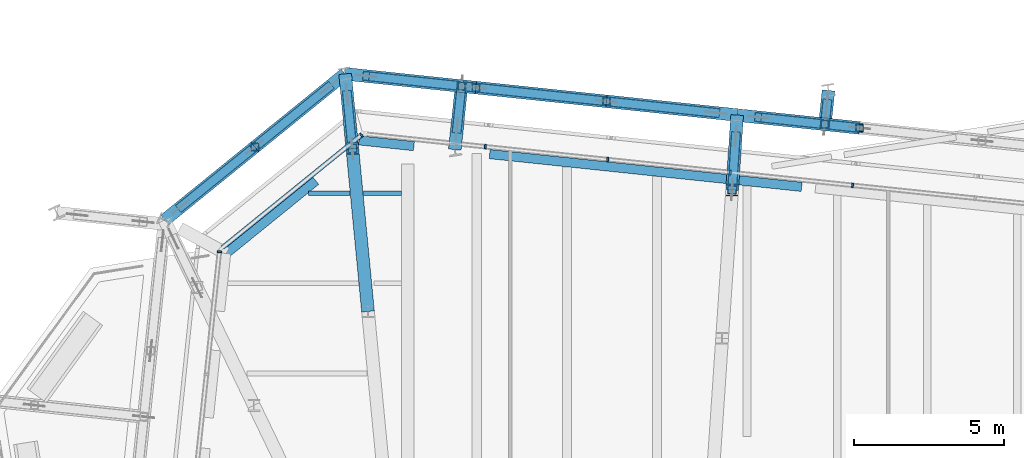
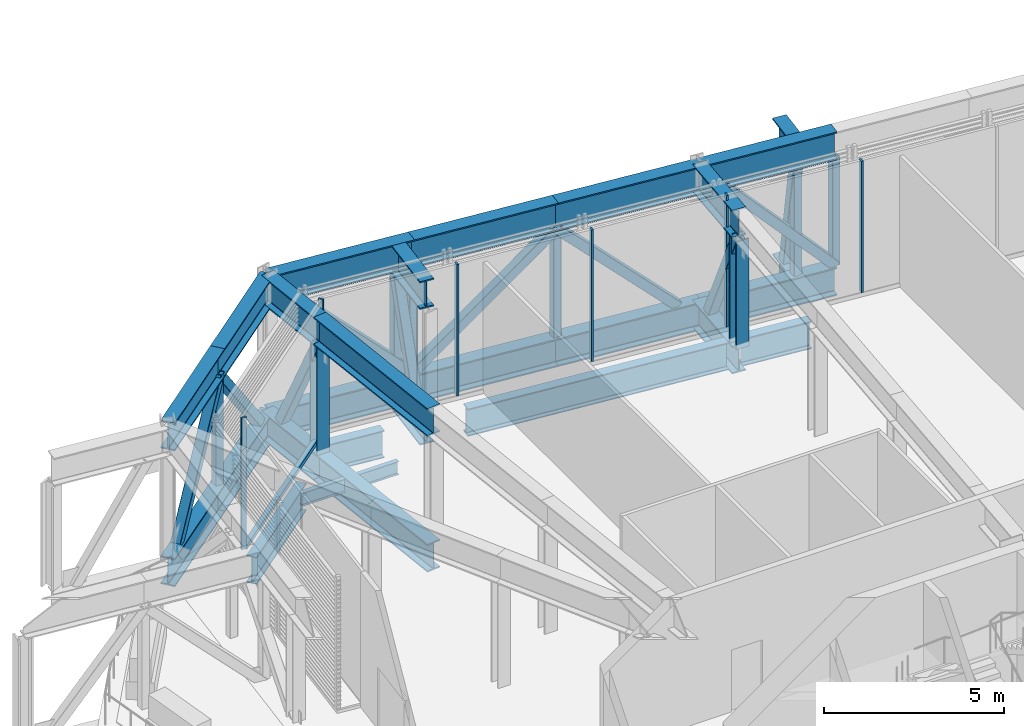
# One storey, part 15 of 36: 28 beams, 25 members, 3 elements without a shape of their own.
"""IFC4 building model written with IfcOpenShell, lengths in metres."""

from ifc_helpers import new_model, si_unit, direction, frame, origin, origin_2d, place, context, subcontext, project, spatial, rectangle, hollow_rectangle, i_section, extrude, material, layer, layer_set, material_profile, profile_set, type_object, element, aggregate, save


model = new_model("IFC4")

# Units and contexts
model_context = context("Model", 3, precision=1e-05, world=origin(), true_north=direction((0.0, 1.0)))
body_context = subcontext(model_context, "Body", "Model", "MODEL_VIEW")
ifc_project = project(units=[si_unit("LENGTHUNIT", "METRE"), si_unit("AREAUNIT", "SQUARE_METRE"), si_unit("VOLUMEUNIT", "CUBIC_METRE"), si_unit("PLANEANGLEUNIT", "RADIAN"), si_unit("MASSUNIT", "GRAM", prefix="KILO")], contexts=[model_context])

# Site, building, storey
site_placement = place(None, origin())
site = spatial("IfcSite", under=ifc_project, at=site_placement, CompositionType="ELEMENT")
building_placement = place(site_placement, origin())
building = spatial("IfcBuilding", under=site, at=building_placement, Name="Millrace Tower", CompositionType="ELEMENT")
storey_placement = place(building_placement, frame((0.0, 0.0, 271.39990234375)))
storey = spatial("IfcBuildingStorey", under=building, at=storey_placement, Name="L62", CompositionType="ELEMENT", Elevation=271.39990234375)

# Curtain wall, members
ifc_material_1 = material(Name="Aluminium and glass", Category="aluminium")
ifc_layer = layer(ifc_material_1, 0.14990234375)
ifc_layer_set = layer_set([ifc_layer], Name="Aluminium and glass")
curtain_wall_type = type_object("IfcCurtainWallType", Name="CW-5 truss and plant storey louvred infill", PredefinedType="NOTDEFINED", material=ifc_layer_set)
placement = place(storey_placement, origin())
curtain_wall_1 = element("IfcCurtainWall", 1, at=placement, inside=storey, type_object=curtain_wall_type, Name="Curtain wall E-F06 L62", PredefinedType="NOTDEFINED")
ifc_material_2 = material(Name="Aluminium", Category="aluminium")
ifc_material_profile_1 = material_profile(ifc_material_2, rectangle(XDim=0.06494140625, YDim=0.14990234375, at=origin_2d()))
ifc_profile_set_1 = profile_set([ifc_material_profile_1], Name="Aluminium")
member_type_1 = type_object("IfcMemberType", Name="CW-5 truss and plant storey louvred infill mullion", PredefinedType="MULLION", material=ifc_profile_set_1)
member_1_placement = place(storey_placement, frame((0.514892578125, 27.267578125, 0.14013671875), z_axis=(0.0, 0.0, 1.0), x_axis=(-0.994521896217, 0.104528455196, 0.0)))
member_1 = element("IfcMember", 2, at=member_1_placement, type_object=member_type_1, Name="CW5 mullion E-F06.6", PredefinedType="MULLION", context=body_context, shape_type="SweptSolid", body=[
    extrude(rectangle(XDim=0.06494140625, YDim=0.14990234375, at=origin_2d()), origin(), (0.0, 0.0, 1.0), 4.4599609375),
])
member_2_placement = place(storey_placement, frame((-3.562744140625, 27.6962890625, 0.14013671875), z_axis=(0.0, 0.0, 1.0), x_axis=(-0.994521896217, 0.104528455196, 0.0)))
member_2 = element("IfcMember", 3, at=member_2_placement, type_object=member_type_1, Name="CW5 mullion E-F06.7", PredefinedType="MULLION", context=body_context, shape_type="SweptSolid", body=[
    extrude(rectangle(XDim=0.06494140625, YDim=0.14990234375, at=origin_2d()), origin(), (0.0, 0.0, 1.0), 4.4599609375),
])
member_3_placement = place(storey_placement, frame((-7.640380859375, 28.124755859375, 0.14013671875), z_axis=(0.0, 0.0, 1.0), x_axis=(-0.994521896217, 0.104528455196, 0.0)))
member_3 = element("IfcMember", 4, at=member_3_placement, type_object=member_type_1, Name="CW5 mullion E-F06.8", PredefinedType="MULLION", context=body_context, shape_type="SweptSolid", body=[
    extrude(rectangle(XDim=0.06494140625, YDim=0.14990234375, at=origin_2d()), origin(), (0.0, 0.0, 1.0), 4.4599609375),
])
member_4_placement = place(storey_placement, frame((-11.7177734375, 28.55322265625, 0.14013671875), z_axis=(0.0, 0.0, 1.0), x_axis=(-0.994521896217, 0.104528455196, 0.0)))
member_4 = element("IfcMember", 5, at=member_4_placement, type_object=member_type_1, Name="CW5 mullion E-F06.9", PredefinedType="MULLION", context=body_context, shape_type="SweptSolid", body=[
    extrude(rectangle(XDim=0.06494140625, YDim=0.14990234375, at=origin_2d()), origin(), (0.0, 0.0, 1.0), 4.4599609375),
])
aggregate(curtain_wall_1, [member_1, member_2, member_3, member_4])

# Curtain wall, member
curtain_wall_2 = element("IfcCurtainWall", 6, at=placement, inside=storey, type_object=curtain_wall_type, Name="Curtain wall E-F07 L62", PredefinedType="NOTDEFINED")
member_5_placement = place(storey_placement, frame((-15.84326171875, 28.941650390625, 0.14013671875), z_axis=(0.0, 0.0, 1.0), x_axis=(-0.777146052237, -0.629320278945, 0.0)))
member_5 = element("IfcMember", 7, at=member_5_placement, type_object=member_type_1, Name="CW5 mullion E-F07.1", PredefinedType="MULLION", context=body_context, shape_type="SweptSolid", body=[
    extrude(rectangle(XDim=0.06494140625, YDim=0.14990234375, at=origin_2d()), origin(), (0.0, 0.0, 1.0), 4.4599609375),
])

curtain_wall_3 = element("IfcCurtainWall", 8, at=placement, inside=storey, type_object=curtain_wall_type, Name="Curtain wall E-F08 L62", PredefinedType="NOTDEFINED")
member_6_placement = place(storey_placement, frame((-20.57470703125, 25.052490234375, 0.14013671875), z_axis=(0.0, 0.0, 1.0), x_axis=(-0.104528455196, -0.994521896217, 0.0)))
member_6 = element("IfcMember", 9, at=member_6_placement, type_object=member_type_1, Name="CW5 mullion E-F08.1", PredefinedType="MULLION", context=body_context, shape_type="SweptSolid", body=[
    extrude(rectangle(XDim=0.06494140625, YDim=0.14990234375, at=origin_2d()), origin(), (0.0, 0.0, 1.0), 4.4599609375),
])
aggregate(curtain_wall_3, [member_6])

# Member
ifc_material_3 = material(Name="Aluminium", Category="aluminium")
ifc_material_profile_2 = material_profile(ifc_material_3, rectangle(XDim=0.14990234375, YDim=0.139892578125, at=origin_2d()))
ifc_profile_set_2 = profile_set([ifc_material_profile_2], Name="Aluminium")
member_type_2 = type_object("IfcMemberType", Name="CW-5 truss and plant storey louvred infill transom", PredefinedType="USERDEFINED", material=ifc_profile_set_2)
member_7_placement = place(storey_placement, frame((-15.895751953125, 28.899169921875, 0.070068359375), z_axis=(-0.777165591695, -0.629296148951, 0.0), x_axis=(0.629296148951, -0.777165591695, 0.0)))
member_7 = element("IfcMember", 10, at=member_7_placement, type_object=member_type_2, Name="CW5 transom E-F07.1", ObjectType="TRANSOM", PredefinedType="USERDEFINED", context=body_context, shape_type="SweptSolid", body=[
    extrude(rectangle(XDim=0.14990234375, YDim=0.139892578125, at=origin_2d()), origin(), (0.0, 0.0, 1.0), 5.881103515625),
])

aggregate(curtain_wall_2, [member_5, member_7])

# Beams
ifc_material_4 = material(Name="Steel ASTM A992 Grade 50", Category="steel")
ifc_material_profile_3 = material_profile(ifc_material_4, i_section(OverallWidth=0.15234375, OverallDepth=0.449462890625, WebThickness=0.007568359375, FlangeThickness=0.0107421875, FilletRadius=0.01025390625, at=origin_2d()))
ifc_profile_set_3 = profile_set([ifc_material_profile_3], Name="Steel ASTM A992 Grade 50")
beam_type_1 = type_object("IfcBeamType", Name="Floor beam W18x35", PredefinedType="JOIST", material=ifc_profile_set_3)
beam_1_placement = place(storey_placement, frame((-15.78125, 27.0, -0.384765625), z_axis=(1.0, 0.0, 0.0), x_axis=(0.0, 1.0, 0.0)))
element("IfcBeam", 11, at=beam_1_placement, inside=storey, type_object=beam_type_1, Name="BM-E-L62-S1-S035-b", PredefinedType="JOIST", context=body_context, shape_type="SweptSolid", body=[
    extrude(i_section(OverallWidth=0.15234375, OverallDepth=0.449462890625, WebThickness=0.007568359375, FlangeThickness=0.0107421875, FilletRadius=0.01025390625, at=origin_2d()), origin(), (0.0, 0.0, 1.0), 1.271728515625),
])
beam_2_placement = place(storey_placement, frame((-17.609619140625, 27.0, -0.384765625), z_axis=(1.0, 0.0, 0.0), x_axis=(0.0, 1.0, 0.0)))
element("IfcBeam", 12, at=beam_2_placement, inside=storey, type_object=beam_type_1, Name="BM-E-L62-S1-S035-a", PredefinedType="JOIST", context=body_context, shape_type="SweptSolid", body=[
    extrude(i_section(OverallWidth=0.15234375, OverallDepth=0.449462890625, WebThickness=0.007568359375, FlangeThickness=0.0107421875, FilletRadius=0.01025390625, at=origin_2d()), origin(), (0.0, 0.0, 1.0), 1.385009765625),
])
ifc_material_5 = material(Name="Steel ASTM A992 Grade 50", Category="steel")
ifc_material_profile_4 = material_profile(ifc_material_5, i_section(OverallWidth=0.307373046875, OverallDepth=0.927001953125, WebThickness=0.01953125, FlangeThickness=0.031982421875, FilletRadius=0.01904296875, at=origin_2d()))
ifc_profile_set_4 = profile_set([ifc_material_profile_4], Name="Steel ASTM A992 Grade 50")
beam_type_2 = type_object("IfcBeamType", Name="Ring beam short span W36x194", PredefinedType="SPANDREL", material=ifc_profile_set_4)
beam_3_placement = place(storey_placement, frame((-15.926513671875, 28.765869140625, -0.62353515625), z_axis=(0.994517791424, -0.104567502323, 0.0), x_axis=(0.104567502323, 0.994517791424, 0.0)))
element("IfcBeam", 13, at=beam_3_placement, inside=storey, type_object=beam_type_2, Name="RNG-E-L62-S1-05-a", PredefinedType="SPANDREL", context=body_context, shape_type="SweptSolid", body=[
    extrude(i_section(OverallWidth=0.307373046875, OverallDepth=0.927001953125, WebThickness=0.01953125, FlangeThickness=0.031982421875, FilletRadius=0.01904296875, at=origin_2d()), origin(), (0.0, 0.0, 1.0), 1.842041015625),
])
beam_4_placement = place(storey_placement, frame((-20.3505859375, 24.99755859375, -0.62353515625), z_axis=(0.777138402267, 0.629329725757, 0.0), x_axis=(-0.629329725757, 0.777138402267, 0.0)))
element("IfcBeam", 14, at=beam_4_placement, inside=storey, type_object=beam_type_2, Name="RNG-E-L62-S1-04", PredefinedType="SPANDREL", context=body_context, shape_type="SweptSolid", body=[
    extrude(i_section(OverallWidth=0.307373046875, OverallDepth=0.927001953125, WebThickness=0.01953125, FlangeThickness=0.031982421875, FilletRadius=0.01904296875, at=origin_2d()), origin(), (0.0, 0.0, 1.0), 3.84521484375),
])
beam_5_placement = place(storey_placement, frame((-3.26318359375, 27.434814453125, -0.62353515625), z_axis=(0.99452078554, -0.104539022037, 0.0), x_axis=(0.104539022037, 0.99452078554, 0.0)))
element("IfcBeam", 15, at=beam_5_placement, inside=storey, type_object=beam_type_2, Name="RNG-E-L62-S1-06-a", PredefinedType="SPANDREL", context=body_context, shape_type="SweptSolid", body=[
    extrude(i_section(OverallWidth=0.307373046875, OverallDepth=0.927001953125, WebThickness=0.01953125, FlangeThickness=0.031982421875, FilletRadius=0.01904296875, at=origin_2d()), origin(), (0.0, 0.0, 1.0), 2.092529296875),
])
beam_6_placement = place(storey_placement, frame((-11.573486328125, 28.308349609375, -0.62353515625), z_axis=(0.994521296125, -0.104534164525, 0.0), x_axis=(0.104534164525, 0.994521296125, 0.0)))
element("IfcBeam", 16, at=beam_6_placement, inside=storey, type_object=beam_type_2, Name="RNG-E-L62-S1-05-b", PredefinedType="SPANDREL", context=body_context, shape_type="SweptSolid", body=[
    extrude(i_section(OverallWidth=0.307373046875, OverallDepth=0.927001953125, WebThickness=0.01953125, FlangeThickness=0.031982421875, FilletRadius=0.01904296875, at=origin_2d()), origin(), (0.0, 0.0, 1.0), 7.931396484375),
])

# Members
ifc_material_6 = material(Name="Steel ASTM A992 Grade 50", Category="steel")
ifc_material_profile_5 = material_profile(ifc_material_6, i_section(OverallWidth=0.4013671875, OverallDepth=0.398681640625, WebThickness=0.02490234375, FlangeThickness=0.03955078125, FilletRadius=0.01513671875, at=origin_2d()))
ifc_profile_set_5 = profile_set([ifc_material_profile_5], Name="Steel ASTM A992 Grade 50")
member_type_3 = type_object("IfcMemberType", Name="Transfer truss Vierendeel moment post W14x211", PredefinedType="POST", material=ifc_profile_set_5)
for number, where, z_axis, x_axis, name in (
    (17, (-3.49755859375, 27.113037109375, -0.159912109375), (0.0, 0.0, 1.0), (1.0, 0.0, 0.0), "TRS-L62-C12-V01"),
    (18, (-16.146240234375, 28.490966796875, -0.159912109375), (0.0, 0.0, 1.0), (1.0, 0.0, 0.0), "TRS-L62-C13-V01"),
):
    element("IfcMember", number, at=place(storey_placement, frame(where, z_axis=z_axis, x_axis=x_axis)), inside=storey, type_object=member_type_3, Name=name, PredefinedType="POST", context=body_context, shape_type="SweptSolid", body=[
        extrude(i_section(OverallWidth=0.4013671875, OverallDepth=0.398681640625, WebThickness=0.02490234375, FlangeThickness=0.03955078125, FilletRadius=0.01513671875, at=origin_2d()), origin(), (0.0, 0.0, 1.0), 3.652587890625),
    ])

# Beams
ifc_material_7 = material(Name="Steel ASTM A992 Grade 50", Category="steel")
ifc_material_profile_6 = material_profile(ifc_material_7, i_section(OverallWidth=0.424072265625, OverallDepth=0.947509765625, WebThickness=0.02392578125, FlangeThickness=0.042724609375, FilletRadius=0.024169921875, at=origin_2d()))
ifc_profile_set_6 = profile_set([ifc_material_profile_6], Name="Steel ASTM A992 Grade 50")
beam_type_3 = type_object("IfcBeamType", Name="Transfer truss chord W36x302", PredefinedType="BEAM", material=ifc_profile_set_6)
for number, where, z_axis, x_axis, name in (
    (19, (0.748291015625, 29.1787109375, -0.633544921875), (-0.994524686351, 0.104501905433, 0.0), (-0.104501905433, -0.994524686351, 0.0), "TRS-L62-R11-B03"),
    (20, (0.748291015625, 29.1787109375, 3.96630859375), (-0.994524686351, 0.104501905433, 0.0), (-0.104501905433, -0.994524686351, 0.0), "TRS-L62-R11-T03"),
):
    element("IfcBeam", number, at=place(storey_placement, frame(where, z_axis=z_axis, x_axis=x_axis)), inside=storey, type_object=beam_type_3, Name=name, PredefinedType="BEAM", context=body_context, shape_type="SweptSolid", body=[
        extrude(i_section(OverallWidth=0.424072265625, OverallDepth=0.947509765625, WebThickness=0.02392578125, FlangeThickness=0.042724609375, FilletRadius=0.024169921875, at=origin_2d()), origin(), (0.0, 0.0, 1.0), 4.10009765625),
    ])
for number, where, z_axis, x_axis, name in (
    (21, (-3.329345703125, 29.607177734375, -0.633544921875), (-0.994519506184, 0.104551192336, 0.0), (-0.104551192336, -0.994519506184, 0.0), "TRS-L62-R12-B01"),
    (22, (-3.329345703125, 29.607177734375, 3.96630859375), (-0.994519506184, 0.104551192336, 0.0), (-0.104551192336, -0.994519506184, 0.0), "TRS-L62-R12-T01"),
    (23, (-7.681396484375, 30.064697265625, -0.633544921875), (-0.994519506184, 0.104551192336, 0.0), (-0.104551192336, -0.994519506184, 0.0), "TRS-L62-R12-B02"),
    (24, (-7.681396484375, 30.064697265625, 3.96630859375), (-0.994519506184, 0.104551192336, 0.0), (-0.104551192336, -0.994519506184, 0.0), "TRS-L62-R12-T02"),
):
    element("IfcBeam", number, at=place(storey_placement, frame(where, z_axis=z_axis, x_axis=x_axis)), inside=storey, type_object=beam_type_3, Name=name, PredefinedType="BEAM", context=body_context, shape_type="SweptSolid", body=[
        extrude(i_section(OverallWidth=0.424072265625, OverallDepth=0.947509765625, WebThickness=0.02392578125, FlangeThickness=0.042724609375, FilletRadius=0.024169921875, at=origin_2d()), origin(), (0.0, 0.0, 1.0), 4.3759765625),
    ])
for number, where, z_axis, x_axis, name in (
    (25, (-12.033447265625, 30.522216796875, -0.633544921875), (-0.994525914823, 0.104490213635, 0.0), (-0.104490213635, -0.994525914823, 0.0), "TRS-L62-R12-B03"),
    (26, (-12.033447265625, 30.522216796875, 3.96630859375), (-0.994525914823, 0.104490213635, 0.0), (-0.104490213635, -0.994525914823, 0.0), "TRS-L62-R12-T03"),
):
    element("IfcBeam", number, at=place(storey_placement, frame(where, z_axis=z_axis, x_axis=x_axis)), inside=storey, type_object=beam_type_3, Name=name, PredefinedType="BEAM", context=body_context, shape_type="SweptSolid", body=[
        extrude(i_section(OverallWidth=0.424072265625, OverallDepth=0.947509765625, WebThickness=0.02392578125, FlangeThickness=0.042724609375, FilletRadius=0.024169921875, at=origin_2d()), origin(), (0.0, 0.0, 1.0), 4.376220703125),
    ])
for number, where, z_axis, x_axis, name in (
    (27, (-16.3857421875, 30.9794921875, -0.633544921875), (-0.777155224442, -0.629308952043, 0.0), (0.629308952043, -0.777155224442, 0.0), "TRS-L62-R13-B01"),
    (28, (-16.3857421875, 30.9794921875, 3.96630859375), (-0.777155224442, -0.629308952043, 0.0), (0.629308952043, -0.777155224442, 0.0), "TRS-L62-R13-T01"),
):
    element("IfcBeam", number, at=place(storey_placement, frame(where, z_axis=z_axis, x_axis=x_axis)), inside=storey, type_object=beam_type_3, Name=name, PredefinedType="BEAM", context=body_context, shape_type="SweptSolid", body=[
        extrude(i_section(OverallWidth=0.424072265625, OverallDepth=0.947509765625, WebThickness=0.02392578125, FlangeThickness=0.042724609375, FilletRadius=0.024169921875, at=origin_2d()), origin(), (0.0, 0.0, 1.0), 3.869140625),
    ])
for number, where, z_axis, x_axis, name in (
    (29, (-19.392578125, 28.544677734375, -0.633544921875), (-0.777130232624, -0.629339814045, 0.0), (0.629339814045, -0.777130232624, 0.0), "TRS-L62-R13-B02"),
    (30, (-19.392578125, 28.544677734375, 3.96630859375), (-0.777130232624, -0.629339814045, 0.0), (0.629339814045, -0.777130232624, 0.0), "TRS-L62-R13-T02"),
):
    element("IfcBeam", number, at=place(storey_placement, frame(where, z_axis=z_axis, x_axis=x_axis)), inside=storey, type_object=beam_type_3, Name=name, PredefinedType="BEAM", context=body_context, shape_type="SweptSolid", body=[
        extrude(i_section(OverallWidth=0.424072265625, OverallDepth=0.947509765625, WebThickness=0.02392578125, FlangeThickness=0.042724609375, FilletRadius=0.024169921875, at=origin_2d()), origin(), (0.0, 0.0, 1.0), 3.868896484375),
    ])
for number, where, z_axis, x_axis, name in (
    (31, (-3.329345703125, 29.607177734375, -0.633544921875), (-0.067290361852, -0.997733434942, 0.0), (0.997733434942, -0.067290361852, 0.0), "TRS-L62-C12-B01"),
    (32, (-3.329345703125, 29.607177734375, 3.96630859375), (-0.067290361852, -0.997733434942, 0.0), (0.997733434942, -0.067290361852, 0.0), "TRS-L62-C12-T01"),
):
    element("IfcBeam", number, at=place(storey_placement, frame(where, z_axis=z_axis, x_axis=x_axis)), inside=storey, type_object=beam_type_3, Name=name, PredefinedType="BEAM", context=body_context, shape_type="SweptSolid", body=[
        extrude(i_section(OverallWidth=0.424072265625, OverallDepth=0.947509765625, WebThickness=0.02392578125, FlangeThickness=0.042724609375, FilletRadius=0.024169921875, at=origin_2d()), origin(), (0.0, 0.0, 1.0), 2.499755859375),
    ])
for number, where, z_axis, x_axis, name in (
    (33, (-16.3857421875, 30.9794921875, -0.633544921875), (0.095799863068, -0.995400615951, 0.0), (0.995400615951, 0.095799863068, 0.0), "TRS-L62-C13-B01"),
    (34, (-16.3857421875, 30.9794921875, 3.96630859375), (0.095799863068, -0.995400615951, 0.0), (0.995400615951, 0.095799863068, 0.0), "TRS-L62-C13-T01"),
):
    element("IfcBeam", number, at=place(storey_placement, frame(where, z_axis=z_axis, x_axis=x_axis)), inside=storey, type_object=beam_type_3, Name=name, PredefinedType="BEAM", context=body_context, shape_type="SweptSolid", body=[
        extrude(i_section(OverallWidth=0.424072265625, OverallDepth=0.947509765625, WebThickness=0.02392578125, FlangeThickness=0.042724609375, FilletRadius=0.024169921875, at=origin_2d()), origin(), (0.0, 0.0, 1.0), 2.5),
    ])
for number, where, z_axis, x_axis, name in (
    (35, (-16.146240234375, 28.490966796875, -0.633544921875), (0.095732893121, -0.995407059034, 0.0), (0.995407059034, 0.095732893121, 0.0), "TRS-L62-C13-B02"),
    (36, (-16.146240234375, 28.490966796875, 3.96630859375), (0.095732893121, -0.995407059034, 0.0), (0.995407059034, 0.095732893121, 0.0), "TRS-L62-C13-T02"),
):
    element("IfcBeam", number, at=place(storey_placement, frame(where, z_axis=z_axis, x_axis=x_axis)), inside=storey, type_object=beam_type_3, Name=name, PredefinedType="BEAM", context=body_context, shape_type="SweptSolid", body=[
        extrude(i_section(OverallWidth=0.424072265625, OverallDepth=0.947509765625, WebThickness=0.02392578125, FlangeThickness=0.042724609375, FilletRadius=0.024169921875, at=origin_2d()), origin(), (0.0, 0.0, 1.0), 5.449951171875),
    ])
for number, where, z_axis, x_axis, name in (
    (37, (-0.288330078125, 30.427734375, -0.633544921875), (-0.104615850639, -0.994512706704, 0.0), (0.994512706704, -0.104615850639, 0.0), "TRS-L62-B-D-X11-B01"),
    (38, (-0.288330078125, 30.427734375, 3.96630859375), (-0.104615850639, -0.994512706704, 0.0), (0.994512706704, -0.104615850639, 0.0), "TRS-L62-B-D-X11-T01"),
):
    element("IfcBeam", number, at=place(storey_placement, frame(where, z_axis=z_axis, x_axis=x_axis)), inside=storey, type_object=beam_type_3, Name=name, PredefinedType="BEAM", context=body_context, shape_type="SweptSolid", body=[
        extrude(i_section(OverallWidth=0.424072265625, OverallDepth=0.947509765625, WebThickness=0.02392578125, FlangeThickness=0.042724609375, FilletRadius=0.024169921875, at=origin_2d()), origin(), (0.0, 0.0, 1.0), 0.921875),
    ])
for number, where, z_axis, x_axis, name in (
    (39, (-12.7333984375, 28.456787109375, -0.633544921875), (0.104538785354, 0.994520810419, 0.0), (-0.994520810419, 0.104538785354, 0.0), "TRS-L62-B-D-X12-B01"),
    (40, (-12.7333984375, 28.456787109375, 3.96630859375), (0.104538785354, 0.994520810419, 0.0), (-0.994520810419, 0.104538785354, 0.0), "TRS-L62-B-D-X12-T01"),
):
    element("IfcBeam", number, at=place(storey_placement, frame(where, z_axis=z_axis, x_axis=x_axis)), inside=storey, type_object=beam_type_3, Name=name, PredefinedType="BEAM", context=body_context, shape_type="SweptSolid", body=[
        extrude(i_section(OverallWidth=0.424072265625, OverallDepth=0.947509765625, WebThickness=0.02392578125, FlangeThickness=0.042724609375, FilletRadius=0.024169921875, at=origin_2d()), origin(), (0.0, 0.0, 1.0), 1.9150390625),
    ])

# Members
ifc_material_8 = material(Name="Steel ASTM A500 Grade C", Category="steel")
ifc_material_profile_7 = material_profile(ifc_material_8, hollow_rectangle(XDim=0.3046875, YDim=0.3046875, WallThickness=0.0126953125, InnerFilletRadius=0.00634765625, OuterFilletRadius=0.01904296875, at=origin_2d()))
ifc_profile_set_7 = profile_set([ifc_material_profile_7], Name="Steel ASTM A500 Grade C")
member_type_4 = type_object("IfcMemberType", Name="Transfer truss diagonal HSS12x12x1/2", PredefinedType="BRACE", material=ifc_profile_set_7)
member_8_placement = place(storey_placement, frame((0.748291015625, 29.1787109375, -0.159912109375), z_axis=(-0.67760888442, 0.071234551315, 0.731964369661), x_axis=(-0.104550220202, -0.994519608382, 0.0)))
element("IfcMember", 41, at=member_8_placement, inside=storey, type_object=member_type_4, Name="TRS-L62-R11-D03", PredefinedType="BRACE", context=body_context, shape_type="SweptSolid", body=[
    extrude(hollow_rectangle(XDim=0.3046875, YDim=0.3046875, WallThickness=0.0126953125, InnerFilletRadius=0.00634765625, OuterFilletRadius=0.01904296875, at=origin_2d()), origin(), (0.0, 0.0, 1.0), 4.990234375),
])
member_9_placement = place(storey_placement, frame((-4.025390625, 29.680419921875, -0.159912109375), z_axis=(-0.705489731102, 0.074152977413, 0.704830174759), x_axis=(-0.104532672253, -0.994521452977, 0.0)))
element("IfcMember", 42, at=member_9_placement, inside=storey, type_object=member_type_4, Name="TRS-L62-R12-D01", PredefinedType="BRACE", context=body_context, shape_type="SweptSolid", body=[
    extrude(hollow_rectangle(XDim=0.3046875, YDim=0.3046875, WallThickness=0.0126953125, InnerFilletRadius=0.00634765625, OuterFilletRadius=0.01904296875, at=origin_2d()), origin(), (0.0, 0.0, 1.0), 5.18212890625),
])
member_10_placement = place(storey_placement, frame((-12.033447265625, 30.522216796875, -0.159912109375), z_axis=(0.763505127219, -0.080265264692, 0.640794357025), x_axis=(0.104551192336, 0.994519506184, 0.0)))
element("IfcMember", 43, at=member_10_placement, inside=storey, type_object=member_type_4, Name="TRS-L62-R12-D02", PredefinedType="BRACE", context=body_context, shape_type="SweptSolid", body=[
    extrude(hollow_rectangle(XDim=0.3046875, YDim=0.3046875, WallThickness=0.0126953125, InnerFilletRadius=0.00634765625, OuterFilletRadius=0.01904296875, at=origin_2d()), origin(), (0.0, 0.0, 1.0), 5.7001953125),
])
member_11_placement = place(storey_placement, frame((-12.033447265625, 30.522216796875, -0.159912109375), z_axis=(-0.705489731102, 0.074152977413, 0.704830174759), x_axis=(-0.104532672253, -0.994521452977, 0.0)))
element("IfcMember", 44, at=member_11_placement, inside=storey, type_object=member_type_4, Name="TRS-L62-R12-D03", PredefinedType="BRACE", context=body_context, shape_type="SweptSolid", body=[
    extrude(hollow_rectangle(XDim=0.3046875, YDim=0.3046875, WallThickness=0.0126953125, InnerFilletRadius=0.00634765625, OuterFilletRadius=0.01904296875, at=origin_2d()), origin(), (0.0, 0.0, 1.0), 5.18212890625),
])
member_12_placement = place(storey_placement, frame((-16.9296875, 30.5390625, -0.159912109375), z_axis=(-0.509305426848, -0.412422287066, 0.755324989203), x_axis=(0.629315676605, -0.777149779115, 0.0)))
element("IfcMember", 45, at=member_12_placement, inside=storey, type_object=member_type_4, Name="TRS-L62-R13-D01", PredefinedType="BRACE", context=body_context, shape_type="SweptSolid", body=[
    extrude(hollow_rectangle(XDim=0.3046875, YDim=0.3046875, WallThickness=0.0126953125, InnerFilletRadius=0.00634765625, OuterFilletRadius=0.01904296875, at=origin_2d()), origin(), (0.0, 0.0, 1.0), 4.835693359375),
])
member_13_placement = place(storey_placement, frame((-21.855224609375, 26.550537109375, -0.159912109375), z_axis=(0.50927863891, 0.412390990643, 0.755360138468), x_axis=(-0.629306824877, 0.777156946931, 0.0)))
element("IfcMember", 46, at=member_13_placement, inside=storey, type_object=member_type_4, Name="TRS-L62-R13-D02", PredefinedType="BRACE", context=body_context, shape_type="SweptSolid", body=[
    extrude(hollow_rectangle(XDim=0.3046875, YDim=0.3046875, WallThickness=0.0126953125, InnerFilletRadius=0.00634765625, OuterFilletRadius=0.01904296875, at=origin_2d()), origin(), (0.0, 0.0, 1.0), 4.83544921875),
])
for number, where, z_axis, x_axis, name in (
    (47, (-3.37646484375, 28.908935546875, -0.159912109375), (-0.029738034934, -0.441034243895, 0.896997460972), (0.997734458124, -0.067275189129, 0.0), "TRS-L62-C12-D01"),
    (48, (-16.318603515625, 30.28271484375, -0.159912109375), (0.042328537023, -0.440012936558, 0.896993261187), (0.995404803602, 0.095756341646, 0.0), "TRS-L62-C13-D01"),
):
    element("IfcMember", number, at=place(storey_placement, frame(where, z_axis=z_axis, x_axis=x_axis)), inside=storey, type_object=member_type_4, Name=name, PredefinedType="BRACE", context=body_context, shape_type="SweptSolid", body=[
        extrude(hollow_rectangle(XDim=0.3046875, YDim=0.3046875, WallThickness=0.0126953125, InnerFilletRadius=0.00634765625, OuterFilletRadius=0.01904296875, at=origin_2d()), origin(), (0.0, 0.0, 1.0), 4.072021484375),
    ])
member_14_placement = place(storey_placement, frame((-0.3359375, 29.976806640625, -0.159912109375), z_axis=(-0.019121569532, -0.182147734515, 0.983085229464), x_axis=(0.994534902135, -0.104404637995, 0.0)))
element("IfcMember", 49, at=member_14_placement, inside=storey, type_object=member_type_4, Name="TRS-L62-B-D-X11-D01", PredefinedType="BRACE", context=body_context, shape_type="SweptSolid", body=[
    extrude(hollow_rectangle(XDim=0.3046875, YDim=0.3046875, WallThickness=0.0126953125, InnerFilletRadius=0.00634765625, OuterFilletRadius=0.01904296875, at=origin_2d()), origin(), (0.0, 0.0, 1.0), 3.71533203125),
])
member_15_placement = place(storey_placement, frame((-12.66015625, 29.15283203125, -0.159912109375), z_axis=(0.038038650156, 0.361958612123, 0.931417749565), x_axis=(-0.994523247167, 0.104515600966, 0.0)))
element("IfcMember", 50, at=member_15_placement, inside=storey, type_object=member_type_4, Name="TRS-L62-B-D-X12-D01", PredefinedType="BRACE", context=body_context, shape_type="SweptSolid", body=[
    extrude(hollow_rectangle(XDim=0.3046875, YDim=0.3046875, WallThickness=0.0126953125, InnerFilletRadius=0.00634765625, OuterFilletRadius=0.01904296875, at=origin_2d()), origin(), (0.0, 0.0, 1.0), 3.921630859375),
])
ifc_material_9 = material(Name="Steel ASTM A500 Grade C", Category="steel")
ifc_material_profile_8 = material_profile(ifc_material_9, hollow_rectangle(XDim=0.25390625, YDim=0.25390625, WallThickness=0.0126953125, InnerFilletRadius=0.00634765625, OuterFilletRadius=0.01904296875, at=origin_2d()))
ifc_profile_set_8 = profile_set([ifc_material_profile_8], Name="Steel ASTM A500 Grade C")
member_type_5 = type_object("IfcMemberType", Name="Transfer truss post HSS10x10x1/2", PredefinedType="POST", material=ifc_profile_set_8)
for number, where, z_axis, x_axis, name in (
    (51, (0.748291015625, 29.1787109375, -0.159912109375), (0.0, 0.0, 1.0), (1.0, 0.0, 0.0), "TRS-L62-R11-V02"),
    (52, (-7.681396484375, 30.064697265625, -0.159912109375), (0.0, 0.0, 1.0), (1.0, 0.0, 0.0), "TRS-L62-R12-V01"),
    (53, (-12.033447265625, 30.522216796875, -0.159912109375), (0.0, 0.0, 1.0), (1.0, 0.0, 0.0), "TRS-L62-R12-V02"),
    (54, (-19.392578125, 28.544677734375, -0.159912109375), (0.0, 0.0, 1.0), (1.0, 0.0, 0.0), "TRS-L62-R13-V01"),
    (55, (-0.406982421875, 29.300048828125, -0.159912109375), (0.0, 0.0, 1.0), (1.0, 0.0, 0.0), "TRS-L62-B-D-X11-V01"),
    (56, (-12.510986328125, 30.572265625, -0.159912109375), (0.0, 0.0, 1.0), (1.0, 0.0, 0.0), "TRS-L62-B-D-X12-V01"),
):
    element("IfcMember", number, at=place(storey_placement, frame(where, z_axis=z_axis, x_axis=x_axis)), inside=storey, type_object=member_type_5, Name=name, PredefinedType="POST", context=body_context, shape_type="SweptSolid", body=[
        extrude(hollow_rectangle(XDim=0.25390625, YDim=0.25390625, WallThickness=0.0126953125, InnerFilletRadius=0.00634765625, OuterFilletRadius=0.01904296875, at=origin_2d()), origin(), (0.0, 0.0, 1.0), 3.652587890625),
    ])

save(model, "model.ifc")
